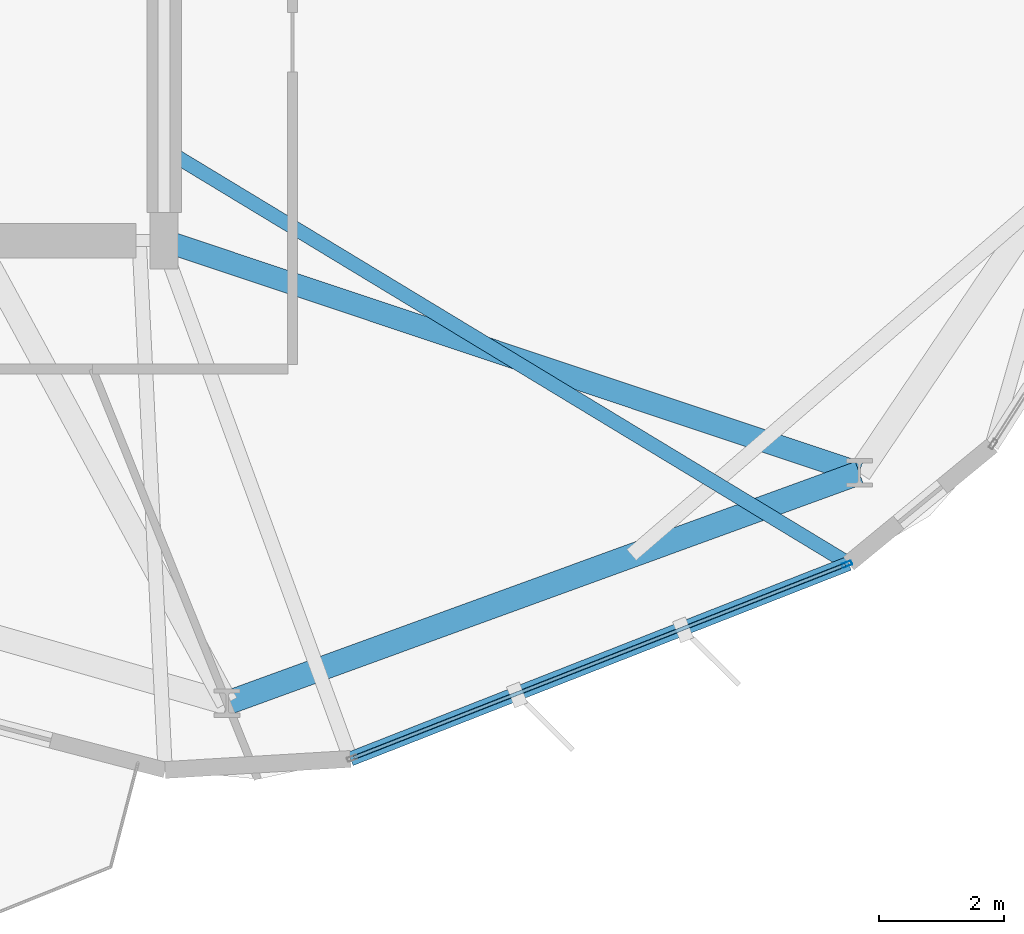
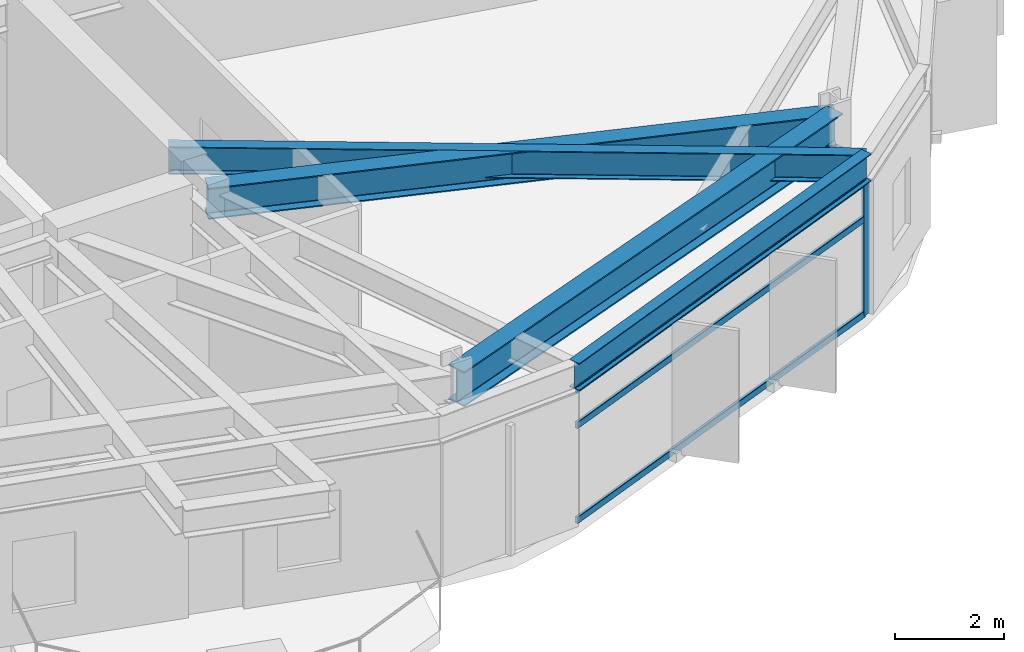
# One storey, part 5 of 22: 4 beams, 4 members, 1 element without a shape of its own.
"""IFC4 building model written with IfcOpenShell, lengths in metres."""

from ifc_helpers import new_model, si_unit, direction, frame, origin, origin_2d, place, context, subcontext, project, spatial, hollow_rectangle, i_section, extrude, material, layer, layer_set, material_profile, profile_set, type_object, element, aggregate, save


model = new_model("IFC4")

# Units and contexts
model_context = context("Model", 3, precision=1e-05, world=origin(), true_north=direction((0.0, 1.0)))
body_context = subcontext(model_context, "Body", "Model", "MODEL_VIEW")
ifc_project = project(units=[si_unit("LENGTHUNIT", "METRE"), si_unit("AREAUNIT", "SQUARE_METRE"), si_unit("VOLUMEUNIT", "CUBIC_METRE"), si_unit("PLANEANGLEUNIT", "RADIAN"), si_unit("MASSUNIT", "GRAM", prefix="KILO")], contexts=[model_context])

# Site, building, storey
site_placement = place(None, origin())
site = spatial("IfcSite", under=ifc_project, at=site_placement, CompositionType="ELEMENT")
building_placement = place(site_placement, origin())
building = spatial("IfcBuilding", under=site, at=building_placement, Name="Soratama Intermodal Tower", CompositionType="ELEMENT")
storey_placement = place(building_placement, frame((0.0, 0.0, 110.800048828125)))
storey = spatial("IfcBuildingStorey", under=building, at=storey_placement, Name="L26", CompositionType="ELEMENT", Elevation=110.800048828125)

# Beams
ifc_material_1 = material(Name="Structural steel ASTM A992 Grade 50", Category="steel")
ifc_material_profile_1 = material_profile(ifc_material_1, i_section(OverallWidth=0.35498046875, OverallDepth=0.695068359375, WebThickness=0.015380859375, FlangeThickness=0.02490234375, FilletRadius=0.01611328125, at=origin_2d()), Name="W27X146")
ifc_profile_set_1 = profile_set([ifc_material_profile_1], Name="Structural steel ASTM A992 Grade 50")
beam_type_1 = type_object("IfcBeamType", Name="BM-RING-W27X146", PredefinedType="BEAM", material=ifc_profile_set_1)
beam_1_placement = place(storey_placement, frame((44.60009765625, 15.0, 3.25244140625), z_axis=(0.948503923169, -0.316765382787, 0.0), x_axis=(0.316765382787, 0.948503923169, 0.0)))
element("IfcBeam", 1, at=beam_1_placement, inside=storey, type_object=beam_type_1, Name="BM-L26-RAD-09", PredefinedType="BEAM", context=body_context, shape_type="SweptSolid", body=[
    extrude(i_section(OverallWidth=0.35498046875, OverallDepth=0.695068359375, WebThickness=0.015380859375, FlangeThickness=0.02490234375, FilletRadius=0.01611328125, at=origin_2d()), origin(), (0.0, 0.0, 1.0), 11.715087890625),
])
ifc_material_2 = material(Name="Structural steel ASTM A992 Grade 50", Category="steel")
ifc_material_profile_2 = material_profile(ifc_material_2, i_section(OverallWidth=0.382080078125, OverallDepth=0.779052734375, WebThickness=0.01806640625, FlangeThickness=0.030029296875, FilletRadius=0.01806640625, at=origin_2d()), Name="W30X191")
ifc_profile_set_2 = profile_set([ifc_material_profile_2], Name="Structural steel ASTM A992 Grade 50")
beam_type_2 = type_object("IfcBeamType", Name="BM-RING-W30X191", PredefinedType="BEAM", material=ifc_profile_set_2)
beam_2_placement = place(storey_placement, frame((45.60693359375, 7.611083984375, 3.21044921875), z_axis=(0.939690636038, 0.342025596326, 0.0), x_axis=(-0.342025596326, 0.939690636038, 0.0)))
element("IfcBeam", 2, at=beam_2_placement, inside=storey, type_object=beam_type_2, Name="BM-L26-RING-08", PredefinedType="BEAM", context=body_context, shape_type="SweptSolid", body=[
    extrude(i_section(OverallWidth=0.382080078125, OverallDepth=0.779052734375, WebThickness=0.01806640625, FlangeThickness=0.030029296875, FilletRadius=0.01806640625, at=origin_2d()), origin(), (0.0, 0.0, 1.0), 10.75341796875),
])
ifc_material_3 = material(Name="Structural steel ASTM A992 Grade 50", Category="steel")
ifc_material_profile_3 = material_profile(ifc_material_3, i_section(OverallWidth=0.22900390625, OverallDepth=0.612060546875, WebThickness=0.011962890625, FlangeThickness=0.01953125, FilletRadius=0.012939453125, at=origin_2d()), Name="W24X84")
ifc_profile_set_3 = profile_set([ifc_material_profile_3], Name="Structural steel ASTM A992 Grade 50")
beam_type_3 = type_object("IfcBeamType", Name="BM-SPN-W24X84", PredefinedType="SPANDREL", material=ifc_profile_set_3)
beam_3_placement = place(storey_placement, frame((47.5791015625, 6.717041015625, 3.2939453125), z_axis=(0.930944278526, 0.365161266126, 0.0), x_axis=(-0.365161266126, 0.930944278526, 0.0)))
element("IfcBeam", 3, at=beam_3_placement, inside=storey, type_object=beam_type_3, Name="BS-L26-F08", PredefinedType="SPANDREL", context=body_context, shape_type="SweptSolid", body=[
    extrude(i_section(OverallWidth=0.22900390625, OverallDepth=0.612060546875, WebThickness=0.011962890625, FlangeThickness=0.01953125, FilletRadius=0.012939453125, at=origin_2d()), origin(), (0.0, 0.0, 1.0), 8.552490234375),
])
ifc_material_4 = material(Name="Structural steel ASTM A992 Grade 50", Category="steel")
ifc_material_profile_4 = material_profile(ifc_material_4, i_section(OverallWidth=0.22900390625, OverallDepth=0.612060546875, WebThickness=0.011962890625, FlangeThickness=0.01953125, FilletRadius=0.012939453125, at=origin_2d()), Name="W24X84")
ifc_profile_set_4 = profile_set([ifc_material_profile_4], Name="Structural steel ASTM A992 Grade 50")
beam_type_4 = type_object("IfcBeamType", Name="BM-TIE-W24X84", PredefinedType="BEAM", material=ifc_profile_set_4)
beam_4_placement = place(storey_placement, frame((44.634033203125, 16.443115234375, 3.2939453125), z_axis=(0.85545029725, -0.517884918621, 0.0), x_axis=(0.517884918621, 0.85545029725, 0.0)))
element("IfcBeam", 4, at=beam_4_placement, inside=storey, type_object=beam_type_4, Name="BM-L26-TIE1-08", PredefinedType="BEAM", context=body_context, shape_type="SweptSolid", body=[
    extrude(i_section(OverallWidth=0.22900390625, OverallDepth=0.612060546875, WebThickness=0.011962890625, FlangeThickness=0.01953125, FilletRadius=0.012939453125, at=origin_2d()), origin(), (0.0, 0.0, 1.0), 12.75),
])

# Curtain wall, members
ifc_material_5 = material(Name="Double-glazed aluminium curtain wall", Category="aluminium")
ifc_layer = layer(ifc_material_5, 0.159912109375)
ifc_layer_set = layer_set([ifc_layer], Name="Double-glazed aluminium curtain wall")
curtain_wall_type = type_object("IfcCurtainWallType", Name="CW-SYS-3", PredefinedType="NOTDEFINED", material=ifc_layer_set)
curtain_wall_placement = place(storey_placement, origin())
curtain_wall = element("IfcCurtainWall", 5, at=curtain_wall_placement, inside=storey, type_object=curtain_wall_type, Name="L26 Faceted Curtain Wall F08", PredefinedType="NOTDEFINED")
ifc_material_6 = material(Name="Anodised aluminium AA 6063-T6", Category="aluminium")
ifc_material_profile_5 = material_profile(ifc_material_6, hollow_rectangle(XDim=0.070068359375, YDim=0.159912109375, WallThickness=0.0048828125, InnerFilletRadius=0.0048828125, OuterFilletRadius=0.010009765625, at=origin_2d()), Name="CWM160X70X5")
ifc_profile_set_5 = profile_set([ifc_material_profile_5], Name="Anodised aluminium AA 6063-T6")
member_type_1 = type_object("IfcMemberType", Name="MT-CWM-3", PredefinedType="MULLION", material=ifc_profile_set_5)
member_1_placement = place(storey_placement, frame((55.51318359375, 9.829345703125, 0.0), z_axis=(0.0, 0.0, 1.0), x_axis=(-0.36520813039, 0.93092589474, 0.0)))
member_1 = element("IfcMember", 6, at=member_1_placement, type_object=member_type_1, Name="CW-3 mullion 2", PredefinedType="MULLION", context=body_context, shape_type="SweptSolid", body=[
    extrude(hollow_rectangle(XDim=0.070068359375, YDim=0.159912109375, WallThickness=0.0048828125, InnerFilletRadius=0.0048828125, OuterFilletRadius=0.010009765625, at=origin_2d()), origin(), (0.0, 0.0, 1.0), 2.97900390625),
])
ifc_material_7 = material(Name="Anodised aluminium AA 6063-T6", Category="aluminium")
ifc_material_profile_6 = material_profile(ifc_material_7, hollow_rectangle(XDim=0.06494140625, YDim=0.14990234375, WallThickness=0.0048828125, InnerFilletRadius=0.0048828125, OuterFilletRadius=0.010009765625, at=origin_2d()), Name="CWT150X65X5")
ifc_profile_set_6 = profile_set([ifc_material_profile_6], Name="Anodised aluminium AA 6063-T6")
member_type_2 = type_object("IfcMemberType", Name="TT-CWT-1", PredefinedType="USERDEFINED", material=ifc_profile_set_6)
member_2_placement = place(storey_placement, frame((47.634521484375, 6.738525390625, 0.030029296875), z_axis=(0.930916078141, 0.36523315219, 0.0), x_axis=(-0.36523315219, 0.930916078141, 0.0)))
member_2 = element("IfcMember", 7, at=member_2_placement, type_object=member_type_2, Name="CW-3 transom 1.1", ObjectType="TRANSOM", PredefinedType="USERDEFINED", context=body_context, shape_type="SweptSolid", body=[
    extrude(hollow_rectangle(XDim=0.06494140625, YDim=0.14990234375, WallThickness=0.0048828125, InnerFilletRadius=0.0048828125, OuterFilletRadius=0.010009765625, at=origin_2d()), origin(), (0.0, 0.0, 1.0), 8.43310546875),
])
member_3_placement = place(storey_placement, frame((47.634521484375, 6.738525390625, 2.14990234375), z_axis=(0.930916078141, 0.36523315219, 0.0), x_axis=(-0.36523315219, 0.930916078141, 0.0)))
member_3 = element("IfcMember", 8, at=member_3_placement, type_object=member_type_2, Name="CW-3 transom 1.2", ObjectType="TRANSOM", PredefinedType="USERDEFINED", context=body_context, shape_type="SweptSolid", body=[
    extrude(hollow_rectangle(XDim=0.06494140625, YDim=0.14990234375, WallThickness=0.0048828125, InnerFilletRadius=0.0048828125, OuterFilletRadius=0.010009765625, at=origin_2d()), origin(), (0.0, 0.0, 1.0), 8.43310546875),
])
member_4_placement = place(storey_placement, frame((47.634521484375, 6.738525390625, 2.948974609375), z_axis=(0.930916078141, 0.36523315219, 0.0), x_axis=(-0.36523315219, 0.930916078141, 0.0)))
member_4 = element("IfcMember", 9, at=member_4_placement, type_object=member_type_2, Name="CW-3 transom 1.3", ObjectType="TRANSOM", PredefinedType="USERDEFINED", context=body_context, shape_type="SweptSolid", body=[
    extrude(hollow_rectangle(XDim=0.06494140625, YDim=0.14990234375, WallThickness=0.0048828125, InnerFilletRadius=0.0048828125, OuterFilletRadius=0.010009765625, at=origin_2d()), origin(), (0.0, 0.0, 1.0), 8.43310546875),
])
aggregate(curtain_wall, [member_1, member_2, member_3, member_4])

save(model, "model.ifc")
